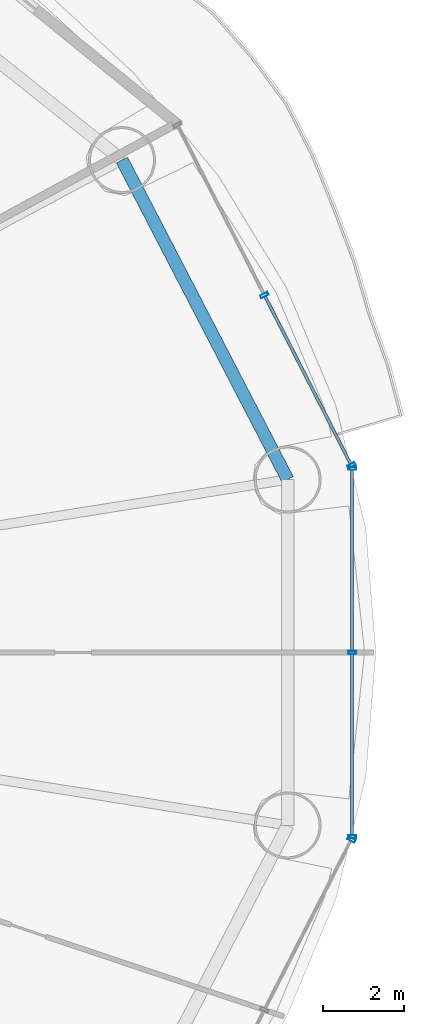
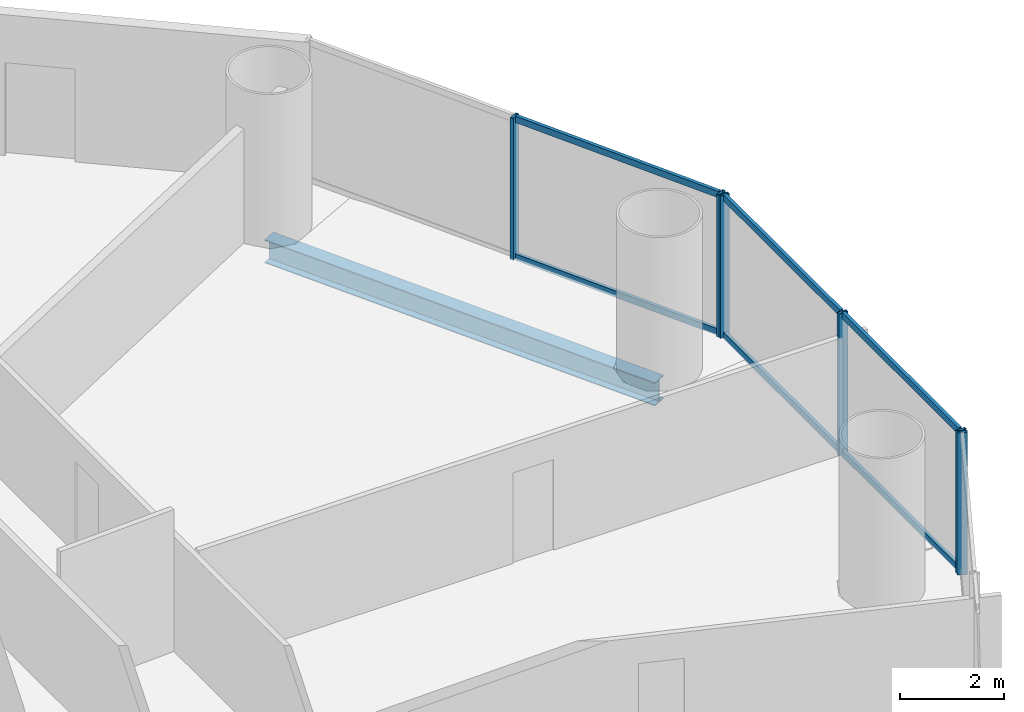
# One storey, part 15 of 30: 12 members, 1 beam, 3 elements without a shape of their own.
"""IFC4 building model written with IfcOpenShell, lengths in metres."""

from ifc_helpers import new_model, si_unit, direction, frame, origin, origin_2d, place, context, subcontext, project, spatial, hollow_rectangle, i_section, extrude, source, transform, mapped, material, material_profile, profile_set, type_object, element, aggregate, save


model = new_model("IFC4")

# Units and contexts
model_context = context("Model", 3, precision=1e-05, world=origin(), true_north=direction((-0.2419218956, 0.970295726276)))
body_context = subcontext(model_context, "Body", "Model", "MODEL_VIEW")
ifc_project = project(units=[si_unit("LENGTHUNIT", "METRE"), si_unit("AREAUNIT", "SQUARE_METRE"), si_unit("VOLUMEUNIT", "CUBIC_METRE"), si_unit("PLANEANGLEUNIT", "RADIAN"), si_unit("MASSUNIT", "GRAM", prefix="KILO")], contexts=[model_context])

# Site, building, storey
site_placement = place(None, origin())
site = spatial("IfcSite", under=ifc_project, at=site_placement, CompositionType="ELEMENT")
building_placement = place(site_placement, origin())
building = spatial("IfcBuilding", under=site, at=building_placement, Name="Cobrevalo Terracotta Tower", CompositionType="ELEMENT")
storey_placement = place(building_placement, frame((0.0, 0.0, 56.39990234375)))
storey = spatial("IfcBuildingStorey", under=building, at=storey_placement, Name="L14", CompositionType="ELEMENT", Elevation=56.39990234375)

# Beam
ifc_material_1 = material(Name="Steel S355", Category="steel")
ifc_material_profile_1 = material_profile(ifc_material_1, i_section(OverallWidth=0.31201171875, OverallDepth=0.54296875, WebThickness=0.0126953125, FlangeThickness=0.020263671875, at=origin_2d()), Name="W 530x150")
ifc_profile_set_1 = profile_set([ifc_material_profile_1], Name="Steel S355")
beam_type = type_object("IfcBeamType", Name="Structural Spandrel W 530x150 (Steel S355)", PredefinedType="SPANDREL", material=ifc_profile_set_1)
beam_placement = place(storey_placement, frame((64.824462890625, 31.062744140625, -0.551513671875), z_axis=(-0.460285838799, 0.88777077368, 0.0), x_axis=(-0.88777077368, -0.460285838799, 0.0)))
element("IfcBeam", 1, at=beam_placement, inside=storey, type_object=beam_type, Name="L14 perimeter ring spandrel 01", PredefinedType="SPANDREL", context=body_context, shape_type="SweptSolid", body=[
    extrude(i_section(OverallWidth=0.31201171875, OverallDepth=0.54296875, WebThickness=0.0126953125, FlangeThickness=0.020263671875, at=origin_2d()), origin(), (0.0, 0.0, 1.0), 8.8720703125),
])

# Curtain wall, members
ifc_material_2 = material(Name="Anodized aluminium", Category="aluminium")
curtain_wall_type = type_object("IfcCurtainWallType", Name="Lower-tower unitised acoustic low-E curtain wall CW-U1", PredefinedType="NOTDEFINED", material=ifc_material_2)
curtain_wall_1_placement = place(storey_placement, origin())
curtain_wall_1 = element("IfcCurtainWall", 2, at=curtain_wall_1_placement, inside=storey, type_object=curtain_wall_type, Name="L14 curtain wall CW-L14-S01", PredefinedType="NOTDEFINED")
ifc_material_profile_2 = material_profile(ifc_material_2, hollow_rectangle(XDim=0.074951171875, YDim=0.199951171875, WallThickness=0.0048828125, at=origin_2d()), Name="CWM 75x200")
ifc_profile_set_2 = profile_set([ifc_material_profile_2], Name="Anodized aluminium")
member_type_1 = type_object("IfcMemberType", Name="Lower/mid tower unitised mullion 75x200", PredefinedType="MULLION", material=ifc_profile_set_2)
shared_shape_1 = source(origin(), body_context, "Body", "SweptSolid", [
    extrude(hollow_rectangle(XDim=0.074951171875, YDim=0.199951171875, WallThickness=0.0048828125, at=origin_2d()), origin(), (0.0, 0.0, 1.0), 3.320068359375),
])
member_1_placement = place(storey_placement, frame((66.39501953125, 31.414306640625, 0.0), z_axis=(0.0, 0.0, 1.0), x_axis=(-0.455234136597, 0.890371765543, 0.0)))
member_1 = element("IfcMember", 3, at=member_1_placement, type_object=member_type_1, Name="CW-L14-S01 vertical mullion 01", PredefinedType="MULLION", context=body_context, shape_type="MappedRepresentation", body=[
    mapped(shared_shape_1, transform((0.0, 0.0, 0.0), scale=1.0)),
])
member_2_placement = place(storey_placement, frame((64.25048828125, 35.60888671875, 0.0), z_axis=(0.0, 0.0, 1.0), x_axis=(-0.455234136597, 0.890371765543, 0.0)))
member_2 = element("IfcMember", 4, at=member_2_placement, type_object=member_type_1, Name="CW-L14-S01 vertical mullion 02", PredefinedType="MULLION", context=body_context, shape_type="MappedRepresentation", body=[
    mapped(shared_shape_1, transform((0.0, 0.0, 0.0), scale=1.0)),
])

# Curtain wall, member
curtain_wall_2_placement = place(storey_placement, origin())
curtain_wall_2 = element("IfcCurtainWall", 5, at=curtain_wall_2_placement, inside=storey, type_object=curtain_wall_type, Name="L14 curtain wall CW-L14-S15", PredefinedType="NOTDEFINED")
member_3_placement = place(storey_placement, frame((66.39501953125, 22.185546875, 0.0), z_axis=(0.0, 0.0, 1.0), x_axis=(0.455234136597, 0.890371765543, 0.0)))
member_3 = element("IfcMember", 6, at=member_3_placement, type_object=member_type_1, Name="CW-L14-S15 vertical mullion 03", PredefinedType="MULLION", context=body_context, shape_type="MappedRepresentation", body=[
    mapped(shared_shape_1, transform((0.0, 0.0, 0.0), scale=1.0)),
])
aggregate(curtain_wall_2, [member_3])

# Curtain wall, members
curtain_wall_3_placement = place(storey_placement, origin())
curtain_wall_3 = element("IfcCurtainWall", 7, at=curtain_wall_3_placement, inside=storey, type_object=curtain_wall_type, Name="L14 curtain wall CW-L14-S16", PredefinedType="NOTDEFINED")
member_4_placement = place(storey_placement, frame((66.413330078125, 22.26123046875, 0.0), z_axis=(0.0, 0.0, 1.0), x_axis=(0.0, 1.0, 0.0)))
member_4 = element("IfcMember", 8, at=member_4_placement, type_object=member_type_1, Name="CW-L14-S16 vertical mullion 01", PredefinedType="MULLION", context=body_context, shape_type="MappedRepresentation", body=[
    mapped(shared_shape_1, transform((0.0, 0.0, 0.0), scale=1.0)),
])
member_5_placement = place(storey_placement, frame((66.413330078125, 26.800048828125, 0.0), z_axis=(0.0, 0.0, 1.0), x_axis=(0.0, 1.0, 0.0)))
member_5 = element("IfcMember", 9, at=member_5_placement, type_object=member_type_1, Name="CW-L14-S16 vertical mullion 02", PredefinedType="MULLION", context=body_context, shape_type="MappedRepresentation", body=[
    mapped(shared_shape_1, transform((0.0, 0.0, 0.0), scale=1.0)),
])
member_6_placement = place(storey_placement, frame((66.413330078125, 31.3388671875, 0.0), z_axis=(0.0, 0.0, 1.0), x_axis=(0.0, 1.0, 0.0)))
member_6 = element("IfcMember", 10, at=member_6_placement, type_object=member_type_1, Name="CW-L14-S16 vertical mullion 03", PredefinedType="MULLION", context=body_context, shape_type="MappedRepresentation", body=[
    mapped(shared_shape_1, transform((0.0, 0.0, 0.0), scale=1.0)),
])
ifc_material_profile_3 = material_profile(ifc_material_2, hollow_rectangle(XDim=0.074951171875, YDim=0.14990234375, WallThickness=0.00439453125, at=origin_2d()), Name="CWT 75x150")
ifc_profile_set_3 = profile_set([ifc_material_profile_3], Name="Anodized aluminium")
member_type_2 = type_object("IfcMemberType", Name="Tower unitised aluminium transom 75x150", PredefinedType="USERDEFINED", material=ifc_profile_set_3)
shared_shape_2 = source(origin(), body_context, "Body", "SweptSolid", [
    extrude(hollow_rectangle(XDim=0.074951171875, YDim=0.14990234375, WallThickness=0.00439453125, at=origin_2d()), origin(), (0.0, 0.0, 1.0), 4.458740234375),
])
member_7_placement = place(storey_placement, frame((66.413330078125, 22.30126953125, 0.050048828125), z_axis=(0.0, 1.0, 0.0), x_axis=(-1.0, 0.0, 0.0)))
member_7 = element("IfcMember", 11, at=member_7_placement, type_object=member_type_2, Name="CW-L14-S16 transom B01-T1", ObjectType="TRANSOM", PredefinedType="USERDEFINED", context=body_context, shape_type="MappedRepresentation", body=[
    mapped(shared_shape_2, transform((0.0, 0.0, 0.0), scale=1.0)),
])
member_8_placement = place(storey_placement, frame((66.413330078125, 22.30126953125, 3.27001953125), z_axis=(0.0, 1.0, 0.0), x_axis=(-1.0, 0.0, 0.0)))
member_8 = element("IfcMember", 12, at=member_8_placement, type_object=member_type_2, Name="CW-L14-S16 transom B01-T2", ObjectType="TRANSOM", PredefinedType="USERDEFINED", context=body_context, shape_type="MappedRepresentation", body=[
    mapped(shared_shape_2, transform((0.0, 0.0, 0.0), scale=1.0)),
])
member_9_placement = place(storey_placement, frame((66.413330078125, 26.840087890625, 0.050048828125), z_axis=(0.0, 1.0, 0.0), x_axis=(-1.0, 0.0, 0.0)))
member_9 = element("IfcMember", 13, at=member_9_placement, type_object=member_type_2, Name="CW-L14-S16 transom B02-T1", ObjectType="TRANSOM", PredefinedType="USERDEFINED", context=body_context, shape_type="MappedRepresentation", body=[
    mapped(shared_shape_2, transform((0.0, 0.0, 0.0), scale=1.0)),
])
member_10_placement = place(storey_placement, frame((66.413330078125, 26.840087890625, 3.27001953125), z_axis=(0.0, 1.0, 0.0), x_axis=(-1.0, 0.0, 0.0)))
member_10 = element("IfcMember", 14, at=member_10_placement, type_object=member_type_2, Name="CW-L14-S16 transom B02-T2", ObjectType="TRANSOM", PredefinedType="USERDEFINED", context=body_context, shape_type="MappedRepresentation", body=[
    mapped(shared_shape_2, transform((0.0, 0.0, 0.0), scale=1.0)),
])
aggregate(curtain_wall_3, [member_4, member_5, member_6, member_7, member_8, member_9, member_10])

# Member
shared_shape_3 = source(origin(), body_context, "Body", "SweptSolid", [
    extrude(hollow_rectangle(XDim=0.074951171875, YDim=0.14990234375, WallThickness=0.00439453125, at=origin_2d()), origin(), (0.0, 0.0, 1.0), 4.631103515625),
])
member_11_placement = place(storey_placement, frame((66.376953125, 31.449951171875, 0.050048828125), z_axis=(-0.455208584993, 0.890384829245, 0.0), x_axis=(-0.890384829245, -0.455208584993, 0.0)))
member_11 = element("IfcMember", 15, at=member_11_placement, type_object=member_type_2, Name="CW-L14-S01 transom B01-T1", ObjectType="TRANSOM", PredefinedType="USERDEFINED", context=body_context, shape_type="MappedRepresentation", body=[
    mapped(shared_shape_3, transform((0.0, 0.0, 0.0), scale=1.0)),
])

member_12_placement = place(storey_placement, frame((66.376953125, 31.449951171875, 3.27001953125), z_axis=(-0.455208584993, 0.890384829245, 0.0), x_axis=(-0.890384829245, -0.455208584993, 0.0)))
member_12 = element("IfcMember", 16, at=member_12_placement, type_object=member_type_2, Name="CW-L14-S01 transom B01-T2", ObjectType="TRANSOM", PredefinedType="USERDEFINED", context=body_context, shape_type="MappedRepresentation", body=[
    mapped(shared_shape_3, transform((0.0, 0.0, 0.0), scale=1.0)),
])

aggregate(curtain_wall_1, [member_1, member_2, member_11, member_12])

save(model, "model.ifc")
